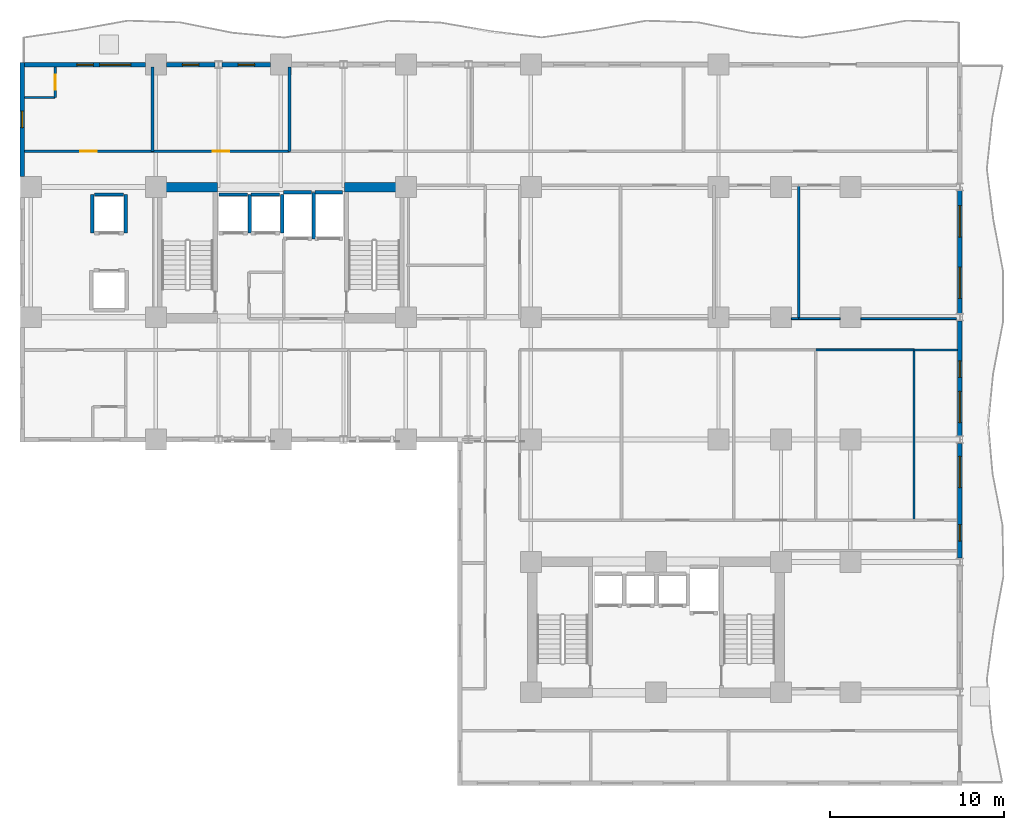
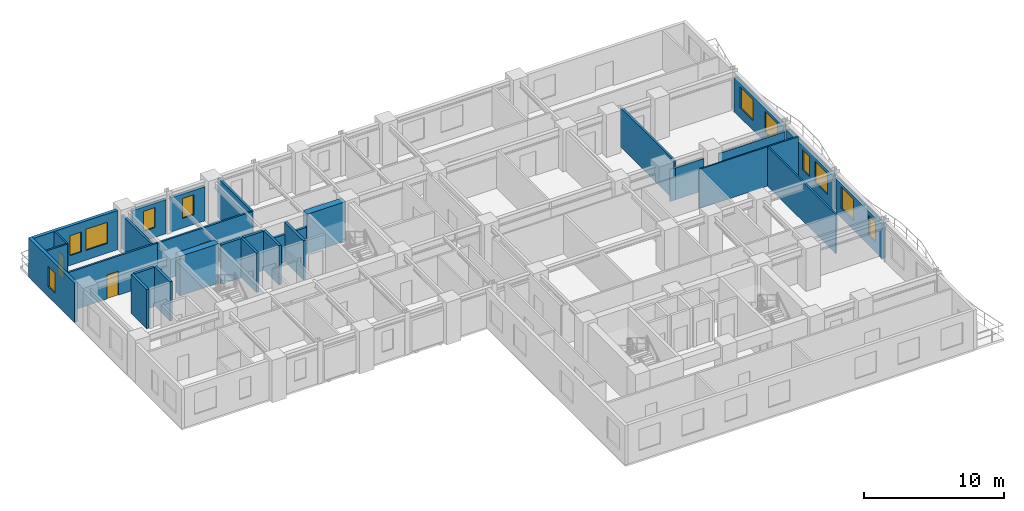
# One storey, part 6 of 11: 32 walls, 11 windows, 3 doors, 14 openings.
"""IFC4 building model written with IfcOpenShell, lengths in metres."""

from ifc_helpers import new_model, si_unit, direction, frame, frame_2d, origin, place, context, subcontext, project, spatial, rectangle, extrude, material, layer, layer_set, type_object, element, fill, save


model = new_model("IFC4")

# Units and contexts
model_context = context("Model", 3, precision=1e-05, world=origin(), true_north=direction((0.0, 1.0)))
body_context = subcontext(model_context, "Body", "Model", "MODEL_VIEW")
ifc_project = project(units=[si_unit("LENGTHUNIT", "METRE"), si_unit("AREAUNIT", "SQUARE_METRE"), si_unit("VOLUMEUNIT", "CUBIC_METRE"), si_unit("PLANEANGLEUNIT", "RADIAN"), si_unit("MASSUNIT", "GRAM", prefix="KILO")], contexts=[model_context])

# Site, building, storey
site_placement = place(None, origin())
site = spatial("IfcSite", under=ifc_project, at=site_placement, CompositionType="ELEMENT")
building_placement = place(site_placement, origin())
building = spatial("IfcBuilding", under=site, at=building_placement, Name="Kaliganga Portal Commons", CompositionType="ELEMENT")
storey_placement = place(building_placement, frame((0.0, 0.0, 104.5)))
storey = spatial("IfcBuildingStorey", under=building, at=storey_placement, Name="L26", CompositionType="ELEMENT", Elevation=104.5)

# Walls
ifc_material_1 = material(Name="Concrete C60/75", Category="concrete")
ifc_layer_1 = layer(ifc_material_1, 0.550048828125)
ifc_layer_set_1 = layer_set([ifc_layer_1], Name="Concrete C60/75")
wall_type_1 = type_object("IfcWallType", Name="WL-CORE-550", PredefinedType="SHEAR", material=ifc_layer_set_1)
for number, where, z_axis, x_axis, name in (
    (1, (14.75, 36.125, 0.0), (0.0, 0.0, 1.0), (1.0, 0.0, 0.0), "Core A N-West Shear Wall L26"),
    (2, (25.25, 36.125, 0.0), (0.0, 0.0, 1.0), (1.0, 0.0, 0.0), "Core A N-East Shear Wall L26"),
):
    element("IfcWall", number, at=place(storey_placement, frame(where, z_axis=z_axis, x_axis=x_axis)), inside=storey, type_object=wall_type_1, Name=name, PredefinedType="SHEAR", context=body_context, shape_type="SweptSolid", body=[
        extrude(rectangle(XDim=3.199951171875, YDim=0.550048828125, at=frame_2d((1.60009765625, 0.0))), origin(), (0.0, 0.0, 1.0), 3.449951171875),
    ])

# Wall, openings, windows
ifc_material_2 = material(Name="Insulated Aluminium-Clad Spandrel Assembly", Category="aluminium")
ifc_layer_2 = layer(ifc_material_2, 0.260009765625)
ifc_layer_set_2 = layer_set([ifc_layer_2], Name="Insulated Aluminium-Clad Spandrel Assembly")
wall_type_2 = type_object("IfcWallType", Name="WL-EXT-SPAND-260", PredefinedType="STANDARD", material=ifc_layer_set_2)
wall_1_placement = place(storey_placement, frame((60.699951171875, 21.384033203125, 0.0), z_axis=(0.0, 0.0, 1.0), x_axis=(0.0, -1.0, 0.0)))
wall_1 = element("IfcWall", 3, at=wall_1_placement, inside=storey, type_object=wall_type_2, Name="Exterior Envelope Wall L26 P1-E01-S3", PredefinedType="STANDARD", context=body_context, shape_type="SweptSolid", body=[
    extrude(rectangle(XDim=6.617919921875, YDim=0.260009765625, at=frame_2d((3.30908203125, 0.0))), origin(), (0.0, 0.0, 1.0), 2.97998046875),
])
opening_1_placement = place(wall_1_placement, frame((0.75439453125, 0.0, 0.85009765625)))
opening_1 = element("IfcOpeningElement", 4, at=opening_1_placement, cuts=wall_1, Name="Opening W-01", PredefinedType="OPENING", context=body_context, shape_type="SweptSolid", body=[
    extrude(rectangle(XDim=1.800048828125, YDim=1.85009765625, at=frame_2d((0.89990234375, 0.925048828125))), frame((0.0, 0.14013671875, 0.0), z_axis=(0.0, -1.0, 0.0), x_axis=(1.0, 0.0, 0.0)), (0.0, 0.0, 1.0), 0.280029296875),
])
opening_2_placement = place(wall_1_placement, frame((4.68701171875, 0.0, 0.85009765625)))
opening_2 = element("IfcOpeningElement", 5, at=opening_2_placement, cuts=wall_1, Name="Opening W-04", PredefinedType="OPENING", context=body_context, shape_type="SweptSolid", body=[
    extrude(rectangle(XDim=0.949951171875, YDim=1.75, at=frame_2d((0.47509765625, 0.875))), frame((0.0, 0.14013671875, 0.0), z_axis=(0.0, -1.0, 0.0), x_axis=(1.0, 0.0, 0.0)), (0.0, 0.0, 1.0), 0.280029296875),
])
ifc_material_3 = material(Name="Thermally Broken Aluminium and Low-E Double Glazing", Category="aluminium")
window_type_1 = type_object("IfcWindowType", Name="WIN-NARROW-950", PartitioningType="SINGLE_PANEL", PredefinedType="WINDOW", material=ifc_material_3)
window_1_placement = place(opening_2_placement, origin())
window_1 = element("IfcWindow", 6, at=window_1_placement, inside=storey, type_object=window_type_1, Name="Facade Window L26-P1E01S3-N10", OverallHeight=1.75, OverallWidth=0.949951171875, PartitioningType="SINGLE_PANEL", PredefinedType="WINDOW", context=body_context, shape_type="SweptSolid", body=[
    extrude(rectangle(XDim=0.949951171875, YDim=1.75, at=frame_2d((0.47509765625, 0.875))), frame((0.0, 0.030029296875, 0.0), z_axis=(0.0, -1.0, 0.0), x_axis=(1.0, 0.0, 0.0)), (0.0, 0.0, 1.0), 0.06005859375),
])
fill(opening_2, window_1)
window_type_2 = type_object("IfcWindowType", Name="WIN-STD-1800", PartitioningType="DOUBLE_PANEL_VERTICAL", PredefinedType="WINDOW", material=ifc_material_3)
window_2_placement = place(opening_1_placement, origin())
window_2 = element("IfcWindow", 7, at=window_2_placement, inside=storey, type_object=window_type_2, Name="Facade Window L26-P1E01S3-00", OverallHeight=1.85009765625, OverallWidth=1.800048828125, PartitioningType="SINGLE_PANEL", PredefinedType="WINDOW", context=body_context, shape_type="SweptSolid", body=[
    extrude(rectangle(XDim=1.800048828125, YDim=1.85009765625, at=frame_2d((0.89990234375, 0.925048828125))), frame((0.0, 0.030029296875, 0.0), z_axis=(0.0, -1.0, 0.0), x_axis=(1.0, 0.0, 0.0)), (0.0, 0.0, 1.0), 0.06005859375),
])
fill(opening_1, window_2)

wall_2_placement = place(storey_placement, frame((60.699951171875, 28.43408203125, 0.0), z_axis=(0.0, 0.0, 1.0), x_axis=(0.0, -1.0, 0.0)))
wall_2 = element("IfcWall", 8, at=wall_2_placement, inside=storey, type_object=wall_type_2, Name="Exterior Envelope Wall L26 P1-E01-S4", PredefinedType="STANDARD", context=body_context, shape_type="SweptSolid", body=[
    extrude(rectangle(XDim=6.6181640625, YDim=0.260009765625, at=frame_2d((3.30908203125, 0.0))), origin(), (0.0, 0.0, 1.0), 2.97998046875),
])
opening_3_placement = place(wall_2_placement, frame((4.0634765625, 0.0, 0.85009765625)))
opening_3 = element("IfcOpeningElement", 9, at=opening_3_placement, cuts=wall_2, Name="Opening W-01", PredefinedType="OPENING", context=body_context, shape_type="SweptSolid", body=[
    extrude(rectangle(XDim=1.800048828125, YDim=1.85009765625, at=frame_2d((0.89990234375, 0.925048828125))), frame((0.0, 0.14013671875, 0.0), z_axis=(0.0, -1.0, 0.0), x_axis=(1.0, 0.0, 0.0)), (0.0, 0.0, 1.0), 0.280029296875),
])
opening_4_placement = place(wall_2_placement, frame((2.3046875, 0.0, 0.85009765625)))
opening_4 = element("IfcOpeningElement", 10, at=opening_4_placement, cuts=wall_2, Name="Opening W-04", PredefinedType="OPENING", context=body_context, shape_type="SweptSolid", body=[
    extrude(rectangle(XDim=0.949951171875, YDim=1.75, at=frame_2d((0.47509765625, 0.875))), frame((0.0, 0.14013671875, 0.0), z_axis=(0.0, -1.0, 0.0), x_axis=(1.0, 0.0, 0.0)), (0.0, 0.0, 1.0), 0.280029296875),
])
window_3_placement = place(opening_4_placement, origin())
window_3 = element("IfcWindow", 11, at=window_3_placement, inside=storey, type_object=window_type_1, Name="Facade Window L26-P1E01S4-N5", OverallHeight=1.75, OverallWidth=0.949951171875, PartitioningType="SINGLE_PANEL", PredefinedType="WINDOW", context=body_context, shape_type="SweptSolid", body=[
    extrude(rectangle(XDim=0.949951171875, YDim=1.75, at=frame_2d((0.47509765625, 0.875))), frame((0.0, 0.030029296875, 0.0), z_axis=(0.0, -1.0, 0.0), x_axis=(1.0, 0.0, 0.0)), (0.0, 0.0, 1.0), 0.06005859375),
])
fill(opening_4, window_3)
window_4_placement = place(opening_3_placement, origin())
window_4 = element("IfcWindow", 12, at=window_4_placement, inside=storey, type_object=window_type_2, Name="Facade Window L26-P1E01S4-01", OverallHeight=1.85009765625, OverallWidth=1.800048828125, PartitioningType="SINGLE_PANEL", PredefinedType="WINDOW", context=body_context, shape_type="SweptSolid", body=[
    extrude(rectangle(XDim=1.800048828125, YDim=1.85009765625, at=frame_2d((0.89990234375, 0.925048828125))), frame((0.0, 0.030029296875, 0.0), z_axis=(0.0, -1.0, 0.0), x_axis=(1.0, 0.0, 0.0)), (0.0, 0.0, 1.0), 0.06005859375),
])
fill(opening_3, window_4)

wall_3_placement = place(storey_placement, frame((60.699951171875, 35.93408203125, 0.0), z_axis=(0.0, 0.0, 1.0), x_axis=(0.0, -1.0, 0.0)))
wall_3 = element("IfcWall", 13, at=wall_3_placement, inside=storey, type_object=wall_type_2, Name="Exterior Envelope Wall L26 P1-E01-S5", PredefinedType="STANDARD", context=body_context, shape_type="SweptSolid", body=[
    extrude(rectangle(XDim=7.068115234375, YDim=0.260009765625, at=frame_2d((3.5341796875, 0.0))), origin(), (0.0, 0.0, 1.0), 2.97998046875),
])
opening_5_placement = place(wall_3_placement, frame((0.866943359375, 0.0, 0.85009765625)))
opening_5 = element("IfcOpeningElement", 14, at=opening_5_placement, cuts=wall_3, Name="Opening W-01", PredefinedType="OPENING", context=body_context, shape_type="SweptSolid", body=[
    extrude(rectangle(XDim=1.800048828125, YDim=1.85009765625, at=frame_2d((0.89990234375, 0.925048828125))), frame((0.0, 0.14013671875, 0.0), z_axis=(0.0, -1.0, 0.0), x_axis=(1.0, 0.0, 0.0)), (0.0, 0.0, 1.0), 0.280029296875),
])
opening_6_placement = place(wall_3_placement, frame((4.40087890625, 0.0, 0.85009765625)))
opening_6 = element("IfcOpeningElement", 15, at=opening_6_placement, cuts=wall_3, Name="Opening W-01", PredefinedType="OPENING", context=body_context, shape_type="SweptSolid", body=[
    extrude(rectangle(XDim=1.800048828125, YDim=1.85009765625, at=frame_2d((0.89990234375, 0.925048828125))), frame((0.0, 0.14013671875, 0.0), z_axis=(0.0, -1.0, 0.0), x_axis=(1.0, 0.0, 0.0)), (0.0, 0.0, 1.0), 0.280029296875),
])
window_5_placement = place(opening_5_placement, origin())
window_5 = element("IfcWindow", 16, at=window_5_placement, inside=storey, type_object=window_type_2, Name="Facade Window L26-P1E01S5-00", OverallHeight=1.85009765625, OverallWidth=1.800048828125, PartitioningType="SINGLE_PANEL", PredefinedType="WINDOW", context=body_context, shape_type="SweptSolid", body=[
    extrude(rectangle(XDim=1.800048828125, YDim=1.85009765625, at=frame_2d((0.89990234375, 0.925048828125))), frame((0.0, 0.030029296875, 0.0), z_axis=(0.0, -1.0, 0.0), x_axis=(1.0, 0.0, 0.0)), (0.0, 0.0, 1.0), 0.06005859375),
])
fill(opening_5, window_5)
window_6_placement = place(opening_6_placement, origin())
window_6 = element("IfcWindow", 17, at=window_6_placement, inside=storey, type_object=window_type_2, Name="Facade Window L26-P1E01S5-01", OverallHeight=1.85009765625, OverallWidth=1.800048828125, PartitioningType="SINGLE_PANEL", PredefinedType="WINDOW", context=body_context, shape_type="SweptSolid", body=[
    extrude(rectangle(XDim=1.800048828125, YDim=1.85009765625, at=frame_2d((0.89990234375, 0.925048828125))), frame((0.0, 0.030029296875, 0.0), z_axis=(0.0, -1.0, 0.0), x_axis=(1.0, 0.0, 0.0)), (0.0, 0.0, 1.0), 0.06005859375),
])
fill(opening_6, window_6)

# Wall, opening, window
wall_4_placement = place(storey_placement, frame((18.20556640625, 43.199951171875, 0.0), z_axis=(0.0, 0.0, 1.0), x_axis=(1.0, 0.0, 0.0)))
wall_4 = element("IfcWall", 18, at=wall_4_placement, inside=storey, type_object=wall_type_2, Name="Exterior Envelope Wall L26 P1-E02-S7", PredefinedType="STANDARD", context=body_context, shape_type="SweptSolid", body=[
    extrude(rectangle(XDim=2.79345703125, YDim=0.260009765625, at=frame_2d((1.396728515625, 0.0))), origin(), (0.0, 0.0, 1.0), 2.97998046875),
])
opening_7_placement = place(wall_4_placement, frame((0.921630859375, 0.0, 0.85009765625)))
opening_7 = element("IfcOpeningElement", 19, at=opening_7_placement, cuts=wall_4, Name="Opening W-04", PredefinedType="OPENING", context=body_context, shape_type="SweptSolid", body=[
    extrude(rectangle(XDim=0.949951171875, YDim=1.75, at=frame_2d((0.47509765625, 0.875))), frame((0.0, 0.14013671875, 0.0), z_axis=(0.0, -1.0, 0.0), x_axis=(1.0, 0.0, 0.0)), (0.0, 0.0, 1.0), 0.280029296875),
])
window_7_placement = place(opening_7_placement, origin())
window_7 = element("IfcWindow", 20, at=window_7_placement, inside=storey, type_object=window_type_1, Name="Facade Window L26-P1E02S7-00", OverallHeight=1.75, OverallWidth=0.949951171875, PartitioningType="SINGLE_PANEL", PredefinedType="WINDOW", context=body_context, shape_type="SweptSolid", body=[
    extrude(rectangle(XDim=0.949951171875, YDim=1.75, at=frame_2d((0.47509765625, 0.875))), frame((0.0, 0.030029296875, 0.0), z_axis=(0.0, -1.0, 0.0), x_axis=(1.0, 0.0, 0.0)), (0.0, 0.0, 1.0), 0.06005859375),
])
fill(opening_7, window_7)

wall_5_placement = place(storey_placement, frame((15.0009765625, 43.199951171875, 0.0), z_axis=(0.0, 0.0, 1.0), x_axis=(1.0, 0.0, 0.0)))
wall_5 = element("IfcWall", 21, at=wall_5_placement, inside=storey, type_object=wall_type_2, Name="Exterior Envelope Wall L26 P1-E02-S8", PredefinedType="STANDARD", context=body_context, shape_type="SweptSolid", body=[
    extrude(rectangle(XDim=2.79345703125, YDim=0.260009765625, at=frame_2d((1.396728515625, 0.0))), origin(), (0.0, 0.0, 1.0), 2.97998046875),
])
opening_8_placement = place(wall_5_placement, frame((0.921630859375, 0.0, 0.85009765625)))
opening_8 = element("IfcOpeningElement", 22, at=opening_8_placement, cuts=wall_5, Name="Opening W-04", PredefinedType="OPENING", context=body_context, shape_type="SweptSolid", body=[
    extrude(rectangle(XDim=0.949951171875, YDim=1.75, at=frame_2d((0.47509765625, 0.875))), frame((0.0, 0.14013671875, 0.0), z_axis=(0.0, -1.0, 0.0), x_axis=(1.0, 0.0, 0.0)), (0.0, 0.0, 1.0), 0.280029296875),
])
window_8_placement = place(opening_8_placement, origin())
window_8 = element("IfcWindow", 23, at=window_8_placement, inside=storey, type_object=window_type_1, Name="Facade Window L26-P1E02S8-00", OverallHeight=1.75, OverallWidth=0.949951171875, PartitioningType="SINGLE_PANEL", PredefinedType="WINDOW", context=body_context, shape_type="SweptSolid", body=[
    extrude(rectangle(XDim=0.949951171875, YDim=1.75, at=frame_2d((0.47509765625, 0.875))), frame((0.0, 0.030029296875, 0.0), z_axis=(0.0, -1.0, 0.0), x_axis=(1.0, 0.0, 0.0)), (0.0, 0.0, 1.0), 0.06005859375),
])
fill(opening_8, window_8)

# Wall, openings, windows
wall_6_placement = place(storey_placement, frame((6.8349609375, 43.199951171875, 0.0), z_axis=(0.0, 0.0, 1.0), x_axis=(1.0, 0.0, 0.0)))
wall_6 = element("IfcWall", 24, at=wall_6_placement, inside=storey, type_object=wall_type_2, Name="Exterior Envelope Wall L26 P1-E02-S9", PredefinedType="STANDARD", context=body_context, shape_type="SweptSolid", body=[
    extrude(rectangle(XDim=6.964111328125, YDim=0.260009765625, at=frame_2d((3.48193359375, 0.0))), origin(), (0.0, 0.0, 1.0), 3.429931640625),
])
opening_9_placement = place(wall_6_placement, frame((4.322998046875, 0.0, 0.85009765625)))
opening_9 = element("IfcOpeningElement", 25, at=opening_9_placement, cuts=wall_6, Name="Opening W-01", PredefinedType="OPENING", context=body_context, shape_type="SweptSolid", body=[
    extrude(rectangle(XDim=1.800048828125, YDim=1.85009765625, at=frame_2d((0.89990234375, 0.925048828125))), frame((0.0, 0.14013671875, 0.0), z_axis=(0.0, -1.0, 0.0), x_axis=(1.0, 0.0, 0.0)), (0.0, 0.0, 1.0), 0.280029296875),
])
opening_10_placement = place(wall_6_placement, frame((3.007080078125, 0.0, 0.85009765625)))
opening_10 = element("IfcOpeningElement", 26, at=opening_10_placement, cuts=wall_6, Name="Opening W-04", PredefinedType="OPENING", context=body_context, shape_type="SweptSolid", body=[
    extrude(rectangle(XDim=0.949951171875, YDim=1.75, at=frame_2d((0.47509765625, 0.875))), frame((0.0, 0.14013671875, 0.0), z_axis=(0.0, -1.0, 0.0), x_axis=(1.0, 0.0, 0.0)), (0.0, 0.0, 1.0), 0.280029296875),
])
window_9_placement = place(opening_10_placement, origin())
window_9 = element("IfcWindow", 27, at=window_9_placement, inside=storey, type_object=window_type_1, Name="Facade Window L26-P1E02S9-N0", OverallHeight=1.75, OverallWidth=0.949951171875, PartitioningType="SINGLE_PANEL", PredefinedType="WINDOW", context=body_context, shape_type="SweptSolid", body=[
    extrude(rectangle(XDim=0.949951171875, YDim=1.75, at=frame_2d((0.47509765625, 0.875))), frame((0.0, 0.030029296875, 0.0), z_axis=(0.0, -1.0, 0.0), x_axis=(1.0, 0.0, 0.0)), (0.0, 0.0, 1.0), 0.06005859375),
])
fill(opening_10, window_9)
window_10_placement = place(opening_9_placement, origin())
window_10 = element("IfcWindow", 28, at=window_10_placement, inside=storey, type_object=window_type_2, Name="Facade Window L26-P1E02S9-01", OverallHeight=1.85009765625, OverallWidth=1.800048828125, PartitioningType="SINGLE_PANEL", PredefinedType="WINDOW", context=body_context, shape_type="SweptSolid", body=[
    extrude(rectangle(XDim=1.800048828125, YDim=1.85009765625, at=frame_2d((0.89990234375, 0.925048828125))), frame((0.0, 0.030029296875, 0.0), z_axis=(0.0, -1.0, 0.0), x_axis=(1.0, 0.0, 0.0)), (0.0, 0.0, 1.0), 0.06005859375),
])
fill(opening_9, window_10)

# Wall, opening, window
wall_7_placement = place(storey_placement, frame((6.699951171875, 36.7509765625, 0.0), z_axis=(0.0, 0.0, 1.0), x_axis=(0.0, 1.0, 0.0)))
wall_7 = element("IfcWall", 29, at=wall_7_placement, inside=storey, type_object=wall_type_2, Name="Exterior Envelope Wall L26 P1-E03-S1", PredefinedType="STANDARD", context=body_context, shape_type="SweptSolid", body=[
    extrude(rectangle(XDim=6.5791015625, YDim=0.260009765625, at=frame_2d((3.28955078125, 0.0))), origin(), (0.0, 0.0, 1.0), 3.429931640625),
])
opening_11_placement = place(wall_7_placement, frame((2.814453125, 0.0, 0.85009765625)))
opening_11 = element("IfcOpeningElement", 30, at=opening_11_placement, cuts=wall_7, Name="Opening W-04", PredefinedType="OPENING", context=body_context, shape_type="SweptSolid", body=[
    extrude(rectangle(XDim=0.949951171875, YDim=1.75, at=frame_2d((0.47509765625, 0.875))), frame((0.0, 0.14013671875, 0.0), z_axis=(0.0, -1.0, 0.0), x_axis=(1.0, 0.0, 0.0)), (0.0, 0.0, 1.0), 0.280029296875),
])
window_11_placement = place(opening_11_placement, origin())
window_11 = element("IfcWindow", 31, at=window_11_placement, inside=storey, type_object=window_type_1, Name="Facade Window L26-P1E03S1-N0", OverallHeight=1.75, OverallWidth=0.949951171875, PartitioningType="SINGLE_PANEL", PredefinedType="WINDOW", context=body_context, shape_type="SweptSolid", body=[
    extrude(rectangle(XDim=0.949951171875, YDim=1.75, at=frame_2d((0.47509765625, 0.875))), frame((0.0, 0.030029296875, 0.0), z_axis=(0.0, -1.0, 0.0), x_axis=(1.0, 0.0, 0.0)), (0.0, 0.0, 1.0), 0.06005859375),
])
fill(opening_11, window_11)

# Wall, opening, door
ifc_material_4 = material(Name="Fire-Rated Gypsum Board on Steel Stud", Category="steel")
ifc_layer_3 = layer(ifc_material_4, 0.14990234375)
ifc_layer_set_3 = layer_set([ifc_layer_3], Name="Fire-Rated Gypsum Board on Steel Stud")
wall_type_3 = type_object("IfcWallType", Name="WL-PART-CORR-150", PredefinedType="PARTITIONING", material=ifc_layer_set_3)
wall_8_placement = place(storey_placement, frame((14.199951171875, 38.199951171875, 0.0), z_axis=(0.0, 0.0, 1.0), x_axis=(1.0, 0.0, 0.0)))
wall_8 = element("IfcWall", 32, at=wall_8_placement, inside=storey, type_object=wall_type_3, Name="Interior Partition L26-017", PredefinedType="PARTITIONING", context=body_context, shape_type="SweptSolid", body=[
    extrude(rectangle(XDim=7.900146484375, YDim=0.14990234375, at=frame_2d((3.9501953125, 0.0))), origin(), (0.0, 0.0, 1.0), 3.429931640625),
])
opening_12_placement = place(wall_8_placement, frame((3.47509765625, 0.0, 0.0)))
opening_12 = element("IfcOpeningElement", 33, at=opening_12_placement, cuts=wall_8, Name="Opening UD-01", PredefinedType="OPENING", context=body_context, shape_type="SweptSolid", body=[
    extrude(rectangle(XDim=0.949951171875, YDim=2.10009765625, at=frame_2d((0.47509765625, 1.050048828125))), frame((0.0, 0.0849609375, 0.0), z_axis=(0.0, -1.0, 0.0), x_axis=(1.0, 0.0, 0.0)), (0.0, 0.0, 1.0), 0.169921875),
])
ifc_material_5 = material(Name="Solid-Core Timber Acoustic Fire Door", Category="wood")
door_type_1 = type_object("IfcDoorType", Name="DR-UNIT-950", OperationType="NOTDEFINED", PredefinedType="DOOR", material=ifc_material_5)
door_1_placement = place(opening_12_placement, origin())
door_1 = element("IfcDoor", 34, at=door_1_placement, inside=storey, type_object=door_type_1, Name="Interior Door L26-AN02", OperationType="SINGLE_SWING_LEFT", OverallHeight=2.10009765625, OverallWidth=0.949951171875, PredefinedType="DOOR", context=body_context, shape_type="SweptSolid", body=[
    extrude(rectangle(XDim=0.949951171875, YDim=2.10009765625, at=frame_2d((0.47509765625, 1.050048828125))), frame((0.0, 0.02490234375, 0.0), z_axis=(0.0, -1.0, 0.0), x_axis=(1.0, 0.0, 0.0)), (0.0, 0.0, 1.0), 0.050048828125),
])
fill(opening_12, door_1)

wall_9_placement = place(storey_placement, frame((6.83203125, 38.199951171875, 0.0), z_axis=(0.0, 0.0, 1.0), x_axis=(1.0, 0.0, 0.0)))
wall_9 = element("IfcWall", 35, at=wall_9_placement, inside=storey, type_object=wall_type_3, Name="Interior Partition L26-020", PredefinedType="PARTITIONING", context=body_context, shape_type="SweptSolid", body=[
    extrude(rectangle(XDim=7.367919921875, YDim=0.14990234375, at=frame_2d((3.68408203125, 0.0))), origin(), (0.0, 0.0, 1.0), 3.429931640625),
])
opening_13_placement = place(wall_9_placement, frame((3.208984375, 0.0, 0.0)))
opening_13 = element("IfcOpeningElement", 36, at=opening_13_placement, cuts=wall_9, Name="Opening UD-01", PredefinedType="OPENING", context=body_context, shape_type="SweptSolid", body=[
    extrude(rectangle(XDim=0.949951171875, YDim=2.10009765625, at=frame_2d((0.47509765625, 1.050048828125))), frame((0.0, 0.0849609375, 0.0), z_axis=(0.0, -1.0, 0.0), x_axis=(1.0, 0.0, 0.0)), (0.0, 0.0, 1.0), 0.169921875),
])
door_2_placement = place(opening_13_placement, origin())
door_2 = element("IfcDoor", 37, at=door_2_placement, inside=storey, type_object=door_type_1, Name="Interior Door L26-AN01", OperationType="SINGLE_SWING_RIGHT", OverallHeight=2.10009765625, OverallWidth=0.949951171875, PredefinedType="DOOR", context=body_context, shape_type="SweptSolid", body=[
    extrude(rectangle(XDim=0.949951171875, YDim=2.10009765625, at=frame_2d((0.47509765625, 1.050048828125))), frame((0.0, 0.02490234375, 0.0), z_axis=(0.0, -1.0, 0.0), x_axis=(1.0, 0.0, 0.0)), (0.0, 0.0, 1.0), 0.050048828125),
])
fill(opening_13, door_2)

# Walls
ifc_material_6 = material(Name="Moisture-Resistant Gypsum Partition", Category="gypsum")
ifc_layer_4 = layer(ifc_material_6, 0.114990234375)
ifc_layer_set_4 = layer_set([ifc_layer_4], Name="Moisture-Resistant Gypsum Partition")
wall_type_4 = type_object("IfcWallType", Name="WL-PART-ROOM-115", PredefinedType="PARTITIONING", material=ifc_layer_set_4)
wall_10_placement = place(storey_placement, frame((51.419921875, 28.56005859375, 0.0), z_axis=(0.0, 0.0, 1.0), x_axis=(1.0, 0.0, 0.0)))
element("IfcWall", 38, at=wall_10_placement, inside=storey, type_object=wall_type_4, Name="Interior Partition L26-052", PredefinedType="PARTITIONING", context=body_context, shape_type="SweptSolid", body=[
    extrude(rectangle(XDim=2.380126953125, YDim=0.114990234375, at=frame_2d((1.18994140625, 0.0))), origin(), (0.0, 0.0, 1.0), 2.780029296875),
])
wall_11_placement = place(storey_placement, frame((55.0, 28.56005859375, 0.0), z_axis=(0.0, 0.0, 1.0), x_axis=(1.0, 0.0, 0.0)))
element("IfcWall", 39, at=wall_11_placement, inside=storey, type_object=wall_type_4, Name="Interior Partition L26-053", PredefinedType="PARTITIONING", context=body_context, shape_type="SweptSolid", body=[
    extrude(rectangle(XDim=5.49560546875, YDim=0.114990234375, at=frame_2d((2.747802734375, 0.0))), origin(), (0.0, 0.0, 1.0), 2.780029296875),
])
wall_12_placement = place(storey_placement, frame((52.39990234375, 26.760009765625, 0.0), z_axis=(0.0, 0.0, 1.0), x_axis=(1.0, 0.0, 0.0)))
element("IfcWall", 40, at=wall_12_placement, inside=storey, type_object=wall_type_4, Name="Interior Partition L26-060", PredefinedType="PARTITIONING", context=body_context, shape_type="SweptSolid", body=[
    extrude(rectangle(XDim=5.66015625, YDim=0.114990234375, at=frame_2d((2.830078125, 0.0))), origin(), (0.0, 0.0, 1.0), 3.429931640625),
])
wall_13_placement = place(storey_placement, frame((51.0, 28.56005859375, 0.0), z_axis=(0.0, 0.0, 1.0), x_axis=(1.0, 0.0, 0.0)))
element("IfcWall", 41, at=wall_13_placement, inside=storey, type_object=wall_type_4, Name="Interior Partition L26-071", PredefinedType="PARTITIONING", context=body_context, shape_type="SweptSolid", body=[
    extrude(rectangle(XDim=0.419921875, YDim=0.114990234375, at=frame_2d((0.2099609375, 0.0))), origin(), (0.0, 0.0, 1.0), 2.780029296875),
])
ifc_material_7 = material(Name="Twin-Stud Acoustic Gypsum Partition", Category="gypsum")
ifc_layer_5 = layer(ifc_material_7, 0.1650390625)
ifc_layer_set_5 = layer_set([ifc_layer_5], Name="Twin-Stud Acoustic Gypsum Partition")
wall_type_5 = type_object("IfcWallType", Name="WL-PART-UNIT-165", PredefinedType="PARTITIONING", material=ifc_layer_set_5)
wall_14_placement = place(storey_placement, frame((51.419921875, 28.56005859375, 0.0), z_axis=(0.0, 0.0, 1.0), x_axis=(0.0, 1.0, 0.0)))
element("IfcWall", 42, at=wall_14_placement, inside=storey, type_object=wall_type_5, Name="Interior Partition L26-056", PredefinedType="PARTITIONING", context=body_context, shape_type="SweptSolid", body=[
    extrude(rectangle(XDim=7.679931640625, YDim=0.1650390625, at=frame_2d((3.83984375, 0.0))), origin(), (0.0, 0.0, 1.0), 3.429931640625),
])
wall_15_placement = place(storey_placement, frame((14.199951171875, 38.199951171875, 0.0), z_axis=(0.0, 0.0, 1.0), x_axis=(0.0, 1.0, 0.0)))
element("IfcWall", 43, at=wall_15_placement, inside=storey, type_object=wall_type_5, Name="Interior Partition L26-065", PredefinedType="PARTITIONING", context=body_context, shape_type="SweptSolid", body=[
    extrude(rectangle(XDim=4.8681640625, YDim=0.1650390625, at=frame_2d((2.43408203125, 0.0))), origin(), (0.0, 0.0, 1.0), 2.929931640625),
])
wall_16_placement = place(storey_placement, frame((22.10009765625, 38.199951171875, 0.0), z_axis=(0.0, 0.0, 1.0), x_axis=(0.0, 1.0, 0.0)))
element("IfcWall", 44, at=wall_16_placement, inside=storey, type_object=wall_type_5, Name="Interior Partition L26-066", PredefinedType="PARTITIONING", context=body_context, shape_type="SweptSolid", body=[
    extrude(rectangle(XDim=4.8681640625, YDim=0.1650390625, at=frame_2d((2.43408203125, 0.0))), origin(), (0.0, 0.0, 1.0), 3.429931640625),
])

# Wall, opening, door
ifc_material_8 = material(Name="Cement-Board Wet-Room Partition", Category="gypsum")
ifc_layer_6 = layer(ifc_material_8, 0.135009765625)
ifc_layer_set_6 = layer_set([ifc_layer_6], Name="Cement-Board Wet-Room Partition")
wall_type_6 = type_object("IfcWallType", Name="WL-PART-WET-135", PredefinedType="PARTITIONING", material=ifc_layer_set_6)
wall_17_placement = place(storey_placement, frame((8.60009765625, 41.300048828125, 0.0), z_axis=(0.0, 0.0, 1.0), x_axis=(0.0, 1.0, 0.0)))
wall_17 = element("IfcWall", 45, at=wall_17_placement, inside=storey, type_object=wall_type_6, Name="Interior Partition L26-001", PredefinedType="PARTITIONING", context=body_context, shape_type="SweptSolid", body=[
    extrude(rectangle(XDim=1.76806640625, YDim=0.135009765625, at=frame_2d((0.884033203125, 0.0))), origin(), (0.0, 0.0, 1.0), 3.429931640625),
])
opening_14_placement = place(wall_17_placement, frame((0.458984375, 0.0, 0.0)))
opening_14 = element("IfcOpeningElement", 46, at=opening_14_placement, cuts=wall_17, Name="Opening WD-01", PredefinedType="OPENING", context=body_context, shape_type="SweptSolid", body=[
    extrude(rectangle(XDim=0.85009765625, YDim=2.0400390625, at=frame_2d((0.425048828125, 1.02001953125))), frame((0.0, 0.07763671875, 0.0), z_axis=(0.0, -1.0, 0.0), x_axis=(1.0, 0.0, 0.0)), (0.0, 0.0, 1.0), 0.155029296875),
])
ifc_material_9 = material(Name="Moisture-Resistant Laminate Timber Door", Category="wood")
door_type_2 = type_object("IfcDoorType", Name="DR-WET-850", OperationType="NOTDEFINED", PredefinedType="DOOR", material=ifc_material_9)
door_3_placement = place(opening_14_placement, origin())
door_3 = element("IfcDoor", 47, at=door_3_placement, inside=storey, type_object=door_type_2, Name="Interior Door L26-AN01E", OperationType="SINGLE_SWING_LEFT", OverallHeight=2.0400390625, OverallWidth=0.85009765625, PredefinedType="DOOR", context=body_context, shape_type="SweptSolid", body=[
    extrude(rectangle(XDim=0.85009765625, YDim=2.0400390625, at=frame_2d((0.425048828125, 1.02001953125))), frame((0.0, 0.02490234375, 0.0), z_axis=(0.0, -1.0, 0.0), x_axis=(1.0, 0.0, 0.0)), (0.0, 0.0, 1.0), 0.050048828125),
])
fill(opening_14, door_3)

# Walls
wall_18_placement = place(storey_placement, frame((6.83203125, 41.300048828125, 0.0), z_axis=(0.0, 0.0, 1.0), x_axis=(1.0, 0.0, 0.0)))
element("IfcWall", 48, at=wall_18_placement, inside=storey, type_object=wall_type_6, Name="Interior Partition L26-003", PredefinedType="PARTITIONING", context=body_context, shape_type="SweptSolid", body=[
    extrude(rectangle(XDim=1.76806640625, YDim=0.135009765625, at=frame_2d((0.884033203125, 0.0))), origin(), (0.0, 0.0, 1.0), 3.429931640625),
])
wall_19_placement = place(storey_placement, frame((58.06005859375, 16.9599609375, 0.0), z_axis=(0.0, 0.0, 1.0), x_axis=(0.0, 1.0, 0.0)))
element("IfcWall", 49, at=wall_19_placement, inside=storey, type_object=wall_type_6, Name="Interior Partition L26-051", PredefinedType="PARTITIONING", context=body_context, shape_type="SweptSolid", body=[
    extrude(rectangle(XDim=9.800048828125, YDim=0.135009765625, at=frame_2d((4.89990234375, 0.0))), origin(), (0.0, 0.0, 1.0), 3.429931640625),
])
wall_20_placement = place(storey_placement, frame((58.06005859375, 26.760009765625, 0.0), z_axis=(0.0, 0.0, 1.0), x_axis=(1.0, 0.0, 0.0)))
element("IfcWall", 50, at=wall_20_placement, inside=storey, type_object=wall_type_6, Name="Interior Partition L26-078", PredefinedType="PARTITIONING", context=body_context, shape_type="SweptSolid", body=[
    extrude(rectangle(XDim=2.508056640625, YDim=0.135009765625, at=frame_2d((1.25390625, 0.0))), origin(), (0.0, 0.0, 1.0), 3.429931640625),
])
ifc_material_10 = material(Name="Fire-Rated Shaftwall Masonry Assembly", Category="masonry")
ifc_layer_7 = layer(ifc_material_10, 0.199951171875)
ifc_layer_set_7 = layer_set([ifc_layer_7], Name="Fire-Rated Shaftwall Masonry Assembly")
wall_type_7 = type_object("IfcWallType", Name="WL-SHAFT-200", PredefinedType="PARTITIONING", material=ifc_layer_set_7)
wall_21_placement = place(storey_placement, frame((18.02490234375, 35.715087890625, 0.0), z_axis=(0.0, 0.0, 1.0), x_axis=(1.0, 0.0, 0.0)))
element("IfcWall", 51, at=wall_21_placement, inside=storey, type_object=wall_type_7, Name="Lift PL-A1 Hoistway Shaft Wall L26-N", PredefinedType="PARTITIONING", context=body_context, shape_type="SweptSolid", body=[
    extrude(rectangle(XDim=1.650146484375, YDim=0.199951171875, at=frame_2d((0.8251953125, 0.0))), origin(), (0.0, 0.0, 1.0), 3.429931640625),
])
wall_22_placement = place(storey_placement, frame((19.81494140625, 33.485107421875, 0.0), z_axis=(0.0, 0.0, 1.0), x_axis=(0.0, 1.0, 0.0)))
element("IfcWall", 52, at=wall_22_placement, inside=storey, type_object=wall_type_7, Name="Lift PL-A1 Hoistway Shaft Wall L26-E", PredefinedType="PARTITIONING", context=body_context, shape_type="SweptSolid", body=[
    extrude(rectangle(XDim=2.22998046875, YDim=0.199951171875, at=frame_2d((1.114990234375, 0.0))), origin(), (0.0, 0.0, 1.0), 3.429931640625),
])
wall_23_placement = place(storey_placement, frame((19.875, 35.715087890625, 0.0), z_axis=(0.0, 0.0, 1.0), x_axis=(1.0, 0.0, 0.0)))
element("IfcWall", 53, at=wall_23_placement, inside=storey, type_object=wall_type_7, Name="Lift PL-A2 Hoistway Shaft Wall L26-N", PredefinedType="PARTITIONING", context=body_context, shape_type="SweptSolid", body=[
    extrude(rectangle(XDim=1.64990234375, YDim=0.199951171875, at=frame_2d((0.824951171875, 0.0))), origin(), (0.0, 0.0, 1.0), 3.429931640625),
])
wall_24_placement = place(storey_placement, frame((21.6650390625, 33.485107421875, 0.0), z_axis=(0.0, 0.0, 1.0), x_axis=(0.0, 1.0, 0.0)))
element("IfcWall", 54, at=wall_24_placement, inside=storey, type_object=wall_type_7, Name="Lift PL-A2 Hoistway Shaft Wall L26-E", PredefinedType="PARTITIONING", context=body_context, shape_type="SweptSolid", body=[
    extrude(rectangle(XDim=2.22998046875, YDim=0.199951171875, at=frame_2d((1.114990234375, 0.0))), origin(), (0.0, 0.0, 1.0), 3.429931640625),
])
wall_25_placement = place(storey_placement, frame((10.875, 35.715087890625, 0.0), z_axis=(0.0, 0.0, 1.0), x_axis=(1.0, 0.0, 0.0)))
element("IfcWall", 55, at=wall_25_placement, inside=storey, type_object=wall_type_7, Name="Lift PL-OBS Hoistway Shaft Wall L26-N", PredefinedType="PARTITIONING", context=body_context, shape_type="SweptSolid", body=[
    extrude(rectangle(XDim=1.64990234375, YDim=0.199951171875, at=frame_2d((0.824951171875, 0.0))), origin(), (0.0, 0.0, 1.0), 3.429931640625),
])
for number, where, z_axis, x_axis, name in (
    (56, (10.735107421875, 33.485107421875, 0.0), (0.0, 0.0, 1.0), (0.0, 1.0, 0.0), "Lift PL-OBS Hoistway Shaft Wall L26-W"),
    (57, (12.6650390625, 33.485107421875, 0.0), (0.0, 0.0, 1.0), (0.0, 1.0, 0.0), "Lift PL-OBS Hoistway Shaft Wall L26-E"),
):
    element("IfcWall", number, at=place(storey_placement, frame(where, z_axis=z_axis, x_axis=x_axis)), inside=storey, type_object=wall_type_7, Name=name, PredefinedType="PARTITIONING", context=body_context, shape_type="SweptSolid", body=[
        extrude(rectangle(XDim=2.22998046875, YDim=0.199951171875, at=frame_2d((1.114990234375, 0.0))), origin(), (0.0, 0.0, 1.0), 3.429931640625),
    ])
wall_26_placement = place(storey_placement, frame((21.75, 35.840087890625, 0.0), z_axis=(0.0, 0.0, 1.0), x_axis=(1.0, 0.0, 0.0)))
element("IfcWall", 58, at=wall_26_placement, inside=storey, type_object=wall_type_7, Name="Lift FFL-1 Hoistway Shaft Wall L26-N", PredefinedType="PARTITIONING", context=body_context, shape_type="SweptSolid", body=[
    extrude(rectangle(XDim=1.60009765625, YDim=0.199951171875, at=frame_2d((0.800048828125, 0.0))), origin(), (0.0, 0.0, 1.0), 2.429931640625),
])
wall_27_placement = place(storey_placement, frame((23.489990234375, 33.159912109375, 0.0), z_axis=(0.0, 0.0, 1.0), x_axis=(0.0, 1.0, 0.0)))
element("IfcWall", 59, at=wall_27_placement, inside=storey, type_object=wall_type_7, Name="Lift FFL-1 Hoistway Shaft Wall L26-E", PredefinedType="PARTITIONING", context=body_context, shape_type="SweptSolid", body=[
    extrude(rectangle(XDim=2.68017578125, YDim=0.199951171875, at=frame_2d((1.340087890625, 0.0))), origin(), (0.0, 0.0, 1.0), 3.429931640625),
])
wall_28_placement = place(storey_placement, frame((23.550048828125, 35.840087890625, 0.0), z_axis=(0.0, 0.0, 1.0), x_axis=(1.0, 0.0, 0.0)))
element("IfcWall", 60, at=wall_28_placement, inside=storey, type_object=wall_type_7, Name="Lift FFL-2 Hoistway Shaft Wall L26-N", PredefinedType="PARTITIONING", context=body_context, shape_type="SweptSolid", body=[
    extrude(rectangle(XDim=1.599853515625, YDim=0.199951171875, at=frame_2d((0.7998046875, 0.0))), origin(), (0.0, 0.0, 1.0), 2.429931640625),
])

save(model, "model.ifc")
